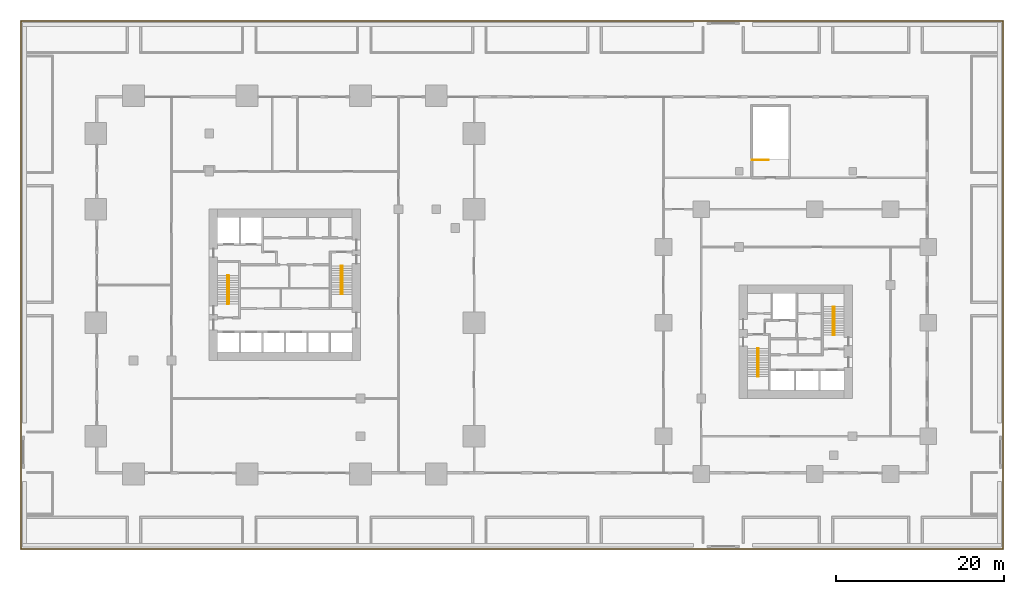
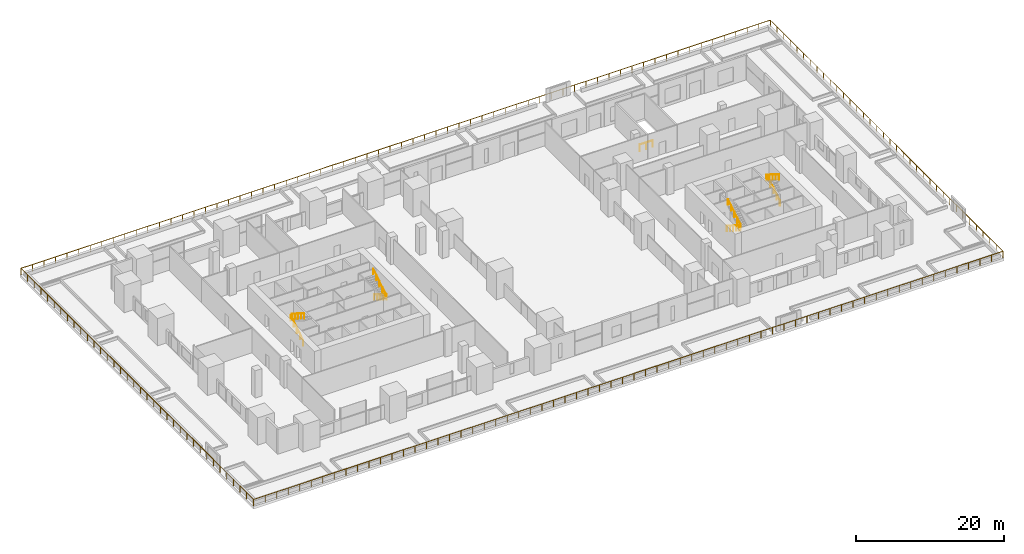
# One storey, part 26 of 26: 10 railings.
"""IFC4 building model written with IfcOpenShell, lengths in metres."""

from ifc_helpers import new_model, si_unit, direction, frame, origin, origin_2d, place, context, subcontext, project, spatial, circle, extrude, source, transform, mapped, material, type_object, element, save


model = new_model("IFC4")

# Units and contexts
model_context = context("Model", 3, precision=1e-05, world=origin(), true_north=direction((0.0, 1.0)))
body_context = subcontext(model_context, "Body", "Model", "MODEL_VIEW")
ifc_project = project(units=[si_unit("LENGTHUNIT", "METRE"), si_unit("AREAUNIT", "SQUARE_METRE"), si_unit("VOLUMEUNIT", "CUBIC_METRE"), si_unit("PLANEANGLEUNIT", "RADIAN"), si_unit("MASSUNIT", "GRAM", prefix="KILO")], contexts=[model_context])

# Site, building, storey
site_placement = place(None, origin())
site = spatial("IfcSite", under=ifc_project, at=site_placement, CompositionType="ELEMENT")
building_placement = place(site_placement, origin())
building = spatial("IfcBuilding", under=site, at=building_placement, Name="Altepetl Exchange Towers", CompositionType="ELEMENT")
storey_placement = place(building_placement, frame((0.0, 0.0, 16.5)))
storey = spatial("IfcBuildingStorey", under=building, at=storey_placement, Name="L03 Podium terrace", CompositionType="ELEMENT", Elevation=16.5)

# Railings
ifc_material_1 = material(Name="Steel S355", Category="steel")
railing_type_1 = type_object("IfcRailingType", Name="Guard 1100 steel posts and rail", PredefinedType="GUARDRAIL", material=ifc_material_1)
shared_shape_1 = source(origin(), body_context, "Body", "SweptSolid", [
    extrude(circle(Radius=0.02099609375, at=origin_2d()), origin(), (0.0, 0.0, 1.0), 1.052001953125),
])
railing_1_placement = place(storey_placement, frame((18.10009765625, 18.10009765625, 0.0)))
element("IfcRailing", 1, at=railing_1_placement, inside=storey, type_object=railing_type_1, Name="Terrace guard", PredefinedType="GUARDRAIL", context=body_context, shape_type="SweptSolid", body=[
    extrude(circle(Radius=0.02392578125, at=origin_2d()), frame((0.0, 0.0, 1.076171875), z_axis=(1.0, 0.0, 0.0), x_axis=(0.0, 1.0, 0.0)), (0.0, 0.0, 1.0), 116.7998046875),
    extrude(circle(Radius=0.02392578125, at=origin_2d()), frame((116.7998046875, 0.0, 1.076171875), z_axis=(0.0, 1.0, 0.0), x_axis=(-1.0, 0.0, 0.0)), (0.0, 0.0, 1.0), 62.7998046875),
    extrude(circle(Radius=0.02392578125, at=origin_2d()), frame((116.7998046875, 62.7998046875, 1.076171875), z_axis=(-1.0, 0.0, 0.0), x_axis=(0.0, -1.0, 0.0)), (0.0, 0.0, 1.0), 116.7998046875),
    extrude(circle(Radius=0.02392578125, at=origin_2d()), frame((0.0, 62.7998046875, 1.076171875), z_axis=(0.0, -1.0, 0.0), x_axis=(1.0, 0.0, 0.0)), (0.0, 0.0, 1.0), 62.699951171875),
    mapped(shared_shape_1, transform((0.0, 0.0, 0.0))),
    mapped(shared_shape_1, transform((1.796875, 0.0, 0.0))),
    mapped(shared_shape_1, transform((3.59375, 0.0, 0.0))),
    mapped(shared_shape_1, transform((5.390869140625, 0.0, 0.0))),
    mapped(shared_shape_1, transform((7.187744140625, 0.0, 0.0))),
    mapped(shared_shape_1, transform((8.984619140625, 0.0, 0.0))),
    mapped(shared_shape_1, transform((10.781494140625, 0.0, 0.0))),
    mapped(shared_shape_1, transform((12.578369140625, 0.0, 0.0))),
    mapped(shared_shape_1, transform((14.375244140625, 0.0, 0.0))),
    mapped(shared_shape_1, transform((16.17236328125, 0.0, 0.0))),
    mapped(shared_shape_1, transform((17.96923828125, 0.0, 0.0))),
    mapped(shared_shape_1, transform((19.76611328125, 0.0, 0.0))),
    mapped(shared_shape_1, transform((21.56298828125, 0.0, 0.0))),
    mapped(shared_shape_1, transform((23.35986328125, 0.0, 0.0))),
    mapped(shared_shape_1, transform((25.156982421875, 0.0, 0.0))),
    mapped(shared_shape_1, transform((26.953857421875, 0.0, 0.0))),
    mapped(shared_shape_1, transform((28.750732421875, 0.0, 0.0))),
    mapped(shared_shape_1, transform((30.547607421875, 0.0, 0.0))),
    mapped(shared_shape_1, transform((32.344482421875, 0.0, 0.0))),
    mapped(shared_shape_1, transform((34.1416015625, 0.0, 0.0))),
    mapped(shared_shape_1, transform((35.9384765625, 0.0, 0.0))),
    mapped(shared_shape_1, transform((37.7353515625, 0.0, 0.0))),
    mapped(shared_shape_1, transform((39.5322265625, 0.0, 0.0))),
    mapped(shared_shape_1, transform((41.3291015625, 0.0, 0.0))),
    mapped(shared_shape_1, transform((43.1259765625, 0.0, 0.0))),
    mapped(shared_shape_1, transform((44.923095703125, 0.0, 0.0))),
    mapped(shared_shape_1, transform((46.719970703125, 0.0, 0.0))),
    mapped(shared_shape_1, transform((48.516845703125, 0.0, 0.0))),
    mapped(shared_shape_1, transform((50.313720703125, 0.0, 0.0))),
    mapped(shared_shape_1, transform((52.110595703125, 0.0, 0.0))),
    mapped(shared_shape_1, transform((53.90771484375, 0.0, 0.0))),
    mapped(shared_shape_1, transform((55.70458984375, 0.0, 0.0))),
    mapped(shared_shape_1, transform((57.50146484375, 0.0, 0.0))),
    mapped(shared_shape_1, transform((59.29833984375, 0.0, 0.0))),
    mapped(shared_shape_1, transform((61.09521484375, 0.0, 0.0))),
    mapped(shared_shape_1, transform((62.89208984375, 0.0, 0.0))),
    mapped(shared_shape_1, transform((64.689208984375, 0.0, 0.0))),
    mapped(shared_shape_1, transform((66.486083984375, 0.0, 0.0))),
    mapped(shared_shape_1, transform((68.282958984375, 0.0, 0.0))),
    mapped(shared_shape_1, transform((70.079833984375, 0.0, 0.0))),
    mapped(shared_shape_1, transform((71.876708984375, 0.0, 0.0))),
    mapped(shared_shape_1, transform((73.673828125, 0.0, 0.0))),
    mapped(shared_shape_1, transform((75.470703125, 0.0, 0.0))),
    mapped(shared_shape_1, transform((77.267578125, 0.0, 0.0))),
    mapped(shared_shape_1, transform((79.064453125, 0.0, 0.0))),
    mapped(shared_shape_1, transform((80.861328125, 0.0, 0.0))),
    mapped(shared_shape_1, transform((82.658203125, 0.0, 0.0))),
    mapped(shared_shape_1, transform((84.455322265625, 0.0, 0.0))),
    mapped(shared_shape_1, transform((86.252197265625, 0.0, 0.0))),
    mapped(shared_shape_1, transform((88.049072265625, 0.0, 0.0))),
    mapped(shared_shape_1, transform((89.845947265625, 0.0, 0.0))),
    mapped(shared_shape_1, transform((91.642822265625, 0.0, 0.0))),
    mapped(shared_shape_1, transform((93.43994140625, 0.0, 0.0))),
    mapped(shared_shape_1, transform((95.23681640625, 0.0, 0.0))),
    mapped(shared_shape_1, transform((97.03369140625, 0.0, 0.0))),
    mapped(shared_shape_1, transform((98.83056640625, 0.0, 0.0))),
    mapped(shared_shape_1, transform((100.62744140625, 0.0, 0.0))),
    mapped(shared_shape_1, transform((102.424560546875, 0.0, 0.0))),
    mapped(shared_shape_1, transform((104.221435546875, 0.0, 0.0))),
    mapped(shared_shape_1, transform((106.018310546875, 0.0, 0.0))),
    mapped(shared_shape_1, transform((107.815185546875, 0.0, 0.0))),
    mapped(shared_shape_1, transform((109.612060546875, 0.0, 0.0))),
    mapped(shared_shape_1, transform((111.408935546875, 0.0, 0.0))),
    mapped(shared_shape_1, transform((113.2060546875, 0.0, 0.0))),
    mapped(shared_shape_1, transform((115.0029296875, 0.0, 0.0))),
    mapped(shared_shape_1, transform((116.7998046875, 0.0, 0.0))),
    mapped(shared_shape_1, transform((116.7998046875, 1.794189453125, 0.0))),
    mapped(shared_shape_1, transform((116.7998046875, 3.588623046875, 0.0))),
    mapped(shared_shape_1, transform((116.7998046875, 5.3828125, 0.0))),
    mapped(shared_shape_1, transform((116.7998046875, 7.177001953125, 0.0))),
    mapped(shared_shape_1, transform((116.7998046875, 8.971435546875, 0.0))),
    mapped(shared_shape_1, transform((116.7998046875, 10.765625, 0.0))),
    mapped(shared_shape_1, transform((116.7998046875, 12.56005859375, 0.0))),
    mapped(shared_shape_1, transform((116.7998046875, 14.354248046875, 0.0))),
    mapped(shared_shape_1, transform((116.7998046875, 16.1484375, 0.0))),
    mapped(shared_shape_1, transform((116.7998046875, 17.94287109375, 0.0))),
    mapped(shared_shape_1, transform((116.7998046875, 19.737060546875, 0.0))),
    mapped(shared_shape_1, transform((116.7998046875, 21.53125, 0.0))),
    mapped(shared_shape_1, transform((116.7998046875, 23.32568359375, 0.0))),
    mapped(shared_shape_1, transform((116.7998046875, 25.119873046875, 0.0))),
    mapped(shared_shape_1, transform((116.7998046875, 26.914306640625, 0.0))),
    mapped(shared_shape_1, transform((116.7998046875, 28.70849609375, 0.0))),
    mapped(shared_shape_1, transform((116.7998046875, 30.502685546875, 0.0))),
    mapped(shared_shape_1, transform((116.7998046875, 32.297119140625, 0.0))),
    mapped(shared_shape_1, transform((116.7998046875, 34.09130859375, 0.0))),
    mapped(shared_shape_1, transform((116.7998046875, 35.885498046875, 0.0))),
    mapped(shared_shape_1, transform((116.7998046875, 37.679931640625, 0.0))),
    mapped(shared_shape_1, transform((116.7998046875, 39.47412109375, 0.0))),
    mapped(shared_shape_1, transform((116.7998046875, 41.2685546875, 0.0))),
    mapped(shared_shape_1, transform((116.7998046875, 43.062744140625, 0.0))),
    mapped(shared_shape_1, transform((116.7998046875, 44.85693359375, 0.0))),
    mapped(shared_shape_1, transform((116.7998046875, 46.6513671875, 0.0))),
    mapped(shared_shape_1, transform((116.7998046875, 48.445556640625, 0.0))),
    mapped(shared_shape_1, transform((116.7998046875, 50.23974609375, 0.0))),
    mapped(shared_shape_1, transform((116.7998046875, 52.0341796875, 0.0))),
    mapped(shared_shape_1, transform((116.7998046875, 53.828369140625, 0.0))),
    mapped(shared_shape_1, transform((116.7998046875, 55.622802734375, 0.0))),
    mapped(shared_shape_1, transform((116.7998046875, 57.4169921875, 0.0))),
    mapped(shared_shape_1, transform((116.7998046875, 59.211181640625, 0.0))),
    mapped(shared_shape_1, transform((116.7998046875, 61.005615234375, 0.0))),
    mapped(shared_shape_1, transform((116.7998046875, 62.7998046875, 0.0))),
    mapped(shared_shape_1, transform((115.0029296875, 62.7998046875, 0.0))),
    mapped(shared_shape_1, transform((113.2060546875, 62.7998046875, 0.0))),
    mapped(shared_shape_1, transform((111.408935546875, 62.7998046875, 0.0))),
    mapped(shared_shape_1, transform((109.612060546875, 62.7998046875, 0.0))),
    mapped(shared_shape_1, transform((107.815185546875, 62.7998046875, 0.0))),
    mapped(shared_shape_1, transform((106.018310546875, 62.7998046875, 0.0))),
    mapped(shared_shape_1, transform((104.221435546875, 62.7998046875, 0.0))),
    mapped(shared_shape_1, transform((102.424560546875, 62.7998046875, 0.0))),
    mapped(shared_shape_1, transform((100.62744140625, 62.7998046875, 0.0))),
    mapped(shared_shape_1, transform((98.83056640625, 62.7998046875, 0.0))),
    mapped(shared_shape_1, transform((97.03369140625, 62.7998046875, 0.0))),
    mapped(shared_shape_1, transform((95.23681640625, 62.7998046875, 0.0))),
    mapped(shared_shape_1, transform((93.43994140625, 62.7998046875, 0.0))),
    mapped(shared_shape_1, transform((91.642822265625, 62.7998046875, 0.0))),
    mapped(shared_shape_1, transform((89.845947265625, 62.7998046875, 0.0))),
    mapped(shared_shape_1, transform((88.049072265625, 62.7998046875, 0.0))),
    mapped(shared_shape_1, transform((86.252197265625, 62.7998046875, 0.0))),
    mapped(shared_shape_1, transform((84.455322265625, 62.7998046875, 0.0))),
    mapped(shared_shape_1, transform((82.658203125, 62.7998046875, 0.0))),
    mapped(shared_shape_1, transform((80.861328125, 62.7998046875, 0.0))),
    mapped(shared_shape_1, transform((79.064453125, 62.7998046875, 0.0))),
    mapped(shared_shape_1, transform((77.267578125, 62.7998046875, 0.0))),
    mapped(shared_shape_1, transform((75.470703125, 62.7998046875, 0.0))),
    mapped(shared_shape_1, transform((73.673828125, 62.7998046875, 0.0))),
    mapped(shared_shape_1, transform((71.876708984375, 62.7998046875, 0.0))),
    mapped(shared_shape_1, transform((70.079833984375, 62.7998046875, 0.0))),
    mapped(shared_shape_1, transform((68.282958984375, 62.7998046875, 0.0))),
    mapped(shared_shape_1, transform((66.486083984375, 62.7998046875, 0.0))),
    mapped(shared_shape_1, transform((64.689208984375, 62.7998046875, 0.0))),
    mapped(shared_shape_1, transform((62.89208984375, 62.7998046875, 0.0))),
    mapped(shared_shape_1, transform((61.09521484375, 62.7998046875, 0.0))),
    mapped(shared_shape_1, transform((59.29833984375, 62.7998046875, 0.0))),
    mapped(shared_shape_1, transform((57.50146484375, 62.7998046875, 0.0))),
    mapped(shared_shape_1, transform((55.70458984375, 62.7998046875, 0.0))),
    mapped(shared_shape_1, transform((53.90771484375, 62.7998046875, 0.0))),
    mapped(shared_shape_1, transform((52.110595703125, 62.7998046875, 0.0))),
    mapped(shared_shape_1, transform((50.313720703125, 62.7998046875, 0.0))),
    mapped(shared_shape_1, transform((48.516845703125, 62.7998046875, 0.0))),
    mapped(shared_shape_1, transform((46.719970703125, 62.7998046875, 0.0))),
    mapped(shared_shape_1, transform((44.923095703125, 62.7998046875, 0.0))),
    mapped(shared_shape_1, transform((43.1259765625, 62.7998046875, 0.0))),
    mapped(shared_shape_1, transform((41.3291015625, 62.7998046875, 0.0))),
    mapped(shared_shape_1, transform((39.5322265625, 62.7998046875, 0.0))),
    mapped(shared_shape_1, transform((37.7353515625, 62.7998046875, 0.0))),
    mapped(shared_shape_1, transform((35.9384765625, 62.7998046875, 0.0))),
    mapped(shared_shape_1, transform((34.1416015625, 62.7998046875, 0.0))),
    mapped(shared_shape_1, transform((32.344482421875, 62.7998046875, 0.0))),
    mapped(shared_shape_1, transform((30.547607421875, 62.7998046875, 0.0))),
    mapped(shared_shape_1, transform((28.750732421875, 62.7998046875, 0.0))),
    mapped(shared_shape_1, transform((26.953857421875, 62.7998046875, 0.0))),
    mapped(shared_shape_1, transform((25.156982421875, 62.7998046875, 0.0))),
    mapped(shared_shape_1, transform((23.35986328125, 62.7998046875, 0.0))),
    mapped(shared_shape_1, transform((21.56298828125, 62.7998046875, 0.0))),
    mapped(shared_shape_1, transform((19.76611328125, 62.7998046875, 0.0))),
    mapped(shared_shape_1, transform((17.96923828125, 62.7998046875, 0.0))),
    mapped(shared_shape_1, transform((16.17236328125, 62.7998046875, 0.0))),
    mapped(shared_shape_1, transform((14.375244140625, 62.7998046875, 0.0))),
    mapped(shared_shape_1, transform((12.578369140625, 62.7998046875, 0.0))),
    mapped(shared_shape_1, transform((10.781494140625, 62.7998046875, 0.0))),
    mapped(shared_shape_1, transform((8.984619140625, 62.7998046875, 0.0))),
    mapped(shared_shape_1, transform((7.187744140625, 62.7998046875, 0.0))),
    mapped(shared_shape_1, transform((5.390869140625, 62.7998046875, 0.0))),
    mapped(shared_shape_1, transform((3.59375, 62.7998046875, 0.0))),
    mapped(shared_shape_1, transform((1.796875, 62.7998046875, 0.0))),
    mapped(shared_shape_1, transform((0.0, 62.7998046875, 0.0))),
    mapped(shared_shape_1, transform((0.0, 61.00830078125, 0.0))),
    mapped(shared_shape_1, transform((0.0, 59.217041015625, 0.0))),
    mapped(shared_shape_1, transform((0.0, 57.425537109375, 0.0))),
    mapped(shared_shape_1, transform((0.0, 55.634033203125, 0.0))),
    mapped(shared_shape_1, transform((0.0, 53.8427734375, 0.0))),
    mapped(shared_shape_1, transform((0.0, 52.05126953125, 0.0))),
    mapped(shared_shape_1, transform((0.0, 50.259765625, 0.0))),
    mapped(shared_shape_1, transform((0.0, 48.468505859375, 0.0))),
    mapped(shared_shape_1, transform((0.0, 46.677001953125, 0.0))),
    mapped(shared_shape_1, transform((0.0, 44.885498046875, 0.0))),
    mapped(shared_shape_1, transform((0.0, 43.093994140625, 0.0))),
    mapped(shared_shape_1, transform((0.0, 41.302734375, 0.0))),
    mapped(shared_shape_1, transform((0.0, 39.51123046875, 0.0))),
    mapped(shared_shape_1, transform((0.0, 37.7197265625, 0.0))),
    mapped(shared_shape_1, transform((0.0, 35.928466796875, 0.0))),
    mapped(shared_shape_1, transform((0.0, 34.136962890625, 0.0))),
    mapped(shared_shape_1, transform((0.0, 32.345458984375, 0.0))),
    mapped(shared_shape_1, transform((0.0, 30.55419921875, 0.0))),
    mapped(shared_shape_1, transform((0.0, 28.7626953125, 0.0))),
    mapped(shared_shape_1, transform((0.0, 26.97119140625, 0.0))),
    mapped(shared_shape_1, transform((0.0, 25.179931640625, 0.0))),
    mapped(shared_shape_1, transform((0.0, 23.388427734375, 0.0))),
    mapped(shared_shape_1, transform((0.0, 21.596923828125, 0.0))),
    mapped(shared_shape_1, transform((0.0, 19.8056640625, 0.0))),
    mapped(shared_shape_1, transform((0.0, 18.01416015625, 0.0))),
    mapped(shared_shape_1, transform((0.0, 16.22265625, 0.0))),
    mapped(shared_shape_1, transform((0.0, 14.43115234375, 0.0))),
    mapped(shared_shape_1, transform((0.0, 12.639892578125, 0.0))),
    mapped(shared_shape_1, transform((0.0, 10.848388671875, 0.0))),
    mapped(shared_shape_1, transform((0.0, 9.056884765625, 0.0))),
    mapped(shared_shape_1, transform((0.0, 7.265625, 0.0))),
    mapped(shared_shape_1, transform((0.0, 5.47412109375, 0.0))),
    mapped(shared_shape_1, transform((0.0, 3.6826171875, 0.0))),
    mapped(shared_shape_1, transform((0.0, 1.891357421875, 0.0))),
    mapped(shared_shape_1, transform((0.0, 0.099853515625, 0.0))),
])
ifc_material_2 = material(Name="Steel", Category="steel")
railing_type_2 = type_object("IfcRailingType", Name="Stair handrail 50 steel tube", PredefinedType="HANDRAIL", material=ifc_material_2)
shared_shape_2 = source(origin(), body_context, "Body", "SweptSolid", [
    extrude(circle(Radius=0.02099609375, at=origin_2d()), origin(), (0.0, 0.0, 1.0), 0.851806640625),
])
railing_2_placement = place(storey_placement, frame((42.669921875, 47.25, 0.173095703125)))
element("IfcRailing", 2, at=railing_2_placement, inside=storey, type_object=railing_type_2, Name="Stair handrail", PredefinedType="HANDRAIL", context=body_context, shape_type="SweptSolid", body=[
    extrude(circle(Radius=0.02392578125, at=origin_2d()), frame((0.0, 0.0, 0.8759765625), z_axis=(0.0, 0.850623216509, 0.525775754039), x_axis=(-1.0, 0.0, 0.0)), (0.0, 0.0, 1.0), 3.9501953125),
    mapped(shared_shape_2, transform((0.0, 0.0, 0.0))),
    mapped(shared_shape_2, transform((0.0, 0.840087890625, 0.519287109375))),
    mapped(shared_shape_2, transform((0.0, 1.68017578125, 1.03857421875))),
    mapped(shared_shape_2, transform((0.0, 2.52001953125, 1.5576171875))),
    mapped(shared_shape_2, transform((0.0, 3.360107421875, 2.076904296875))),
])
for number, where, name in (
    (3, (42.830078125, 50.610107421875, 2.423095703125), "Stair handrail"),
    (4, (56.330078125, 51.75, 0.173095703125), "Stair handrail"),
):
    element("IfcRailing", number, at=place(storey_placement, frame(where)), inside=storey, type_object=railing_type_2, Name=name, PredefinedType="HANDRAIL", context=body_context, shape_type="SweptSolid", body=[
        extrude(circle(Radius=0.02392578125, at=origin_2d()), frame((0.0, 0.0, 0.8759765625), z_axis=(0.0, -0.850623216509, 0.525775754039), x_axis=(1.0, 0.0, 0.0)), (0.0, 0.0, 1.0), 3.9501953125),
        mapped(shared_shape_2, transform((0.0, 0.0, 0.0))),
        mapped(shared_shape_2, transform((0.0, -0.840087890625, 0.519287109375))),
        mapped(shared_shape_2, transform((0.0, -1.68017578125, 1.03857421875))),
        mapped(shared_shape_2, transform((0.0, -2.52001953125, 1.5576171875))),
        mapped(shared_shape_2, transform((0.0, -3.360107421875, 2.076904296875))),
    ])
railing_3_placement = place(storey_placement, frame((56.169921875, 48.389892578125, 2.423095703125)))
element("IfcRailing", 5, at=railing_3_placement, inside=storey, type_object=railing_type_2, Name="Stair handrail", PredefinedType="HANDRAIL", context=body_context, shape_type="SweptSolid", body=[
    extrude(circle(Radius=0.02392578125, at=origin_2d()), frame((0.0, 0.0, 0.8759765625), z_axis=(0.0, 0.850623216509, 0.525775754039), x_axis=(-1.0, 0.0, 0.0)), (0.0, 0.0, 1.0), 3.9501953125),
    mapped(shared_shape_2, transform((0.0, 0.0, 0.0))),
    mapped(shared_shape_2, transform((0.0, 0.840087890625, 0.519287109375))),
    mapped(shared_shape_2, transform((0.0, 1.68017578125, 1.03857421875))),
    mapped(shared_shape_2, transform((0.0, 2.52001953125, 1.5576171875))),
    mapped(shared_shape_2, transform((0.0, 3.360107421875, 2.076904296875))),
])
railing_4_placement = place(storey_placement, frame((105.669921875, 41.949951171875, 0.173095703125)))
element("IfcRailing", 6, at=railing_4_placement, inside=storey, type_object=railing_type_2, Name="Stair handrail", PredefinedType="HANDRAIL", context=body_context, shape_type="SweptSolid", body=[
    extrude(circle(Radius=0.02392578125, at=origin_2d()), frame((0.0, 0.0, 0.8759765625), z_axis=(0.0, -0.850606129759, 0.525803396734), x_axis=(1.0, 0.0, 0.0)), (0.0, 0.0, 1.0), 3.949951171875),
    mapped(shared_shape_2, transform((0.0, 0.0, 0.0))),
    mapped(shared_shape_2, transform((0.0, -0.83984375, 0.519287109375))),
    mapped(shared_shape_2, transform((0.0, -1.679931640625, 1.03857421875))),
    mapped(shared_shape_2, transform((0.0, -2.52001953125, 1.5576171875))),
    mapped(shared_shape_2, transform((0.0, -3.35986328125, 2.076904296875))),
])
for number, where, name in (
    (7, (105.830078125, 38.590087890625, 2.423095703125), "Stair handrail"),
    (8, (114.830078125, 43.550048828125, 0.173095703125), "Stair handrail"),
):
    element("IfcRailing", number, at=place(storey_placement, frame(where)), inside=storey, type_object=railing_type_2, Name=name, PredefinedType="HANDRAIL", context=body_context, shape_type="SweptSolid", body=[
        extrude(circle(Radius=0.02392578125, at=origin_2d()), frame((0.0, 0.0, 0.8759765625), z_axis=(0.0, 0.850606129759, 0.525803396734), x_axis=(-1.0, 0.0, 0.0)), (0.0, 0.0, 1.0), 3.949951171875),
        mapped(shared_shape_2, transform((0.0, 0.0, 0.0))),
        mapped(shared_shape_2, transform((0.0, 0.83984375, 0.519287109375))),
        mapped(shared_shape_2, transform((0.0, 1.679931640625, 1.03857421875))),
        mapped(shared_shape_2, transform((0.0, 2.52001953125, 1.5576171875))),
        mapped(shared_shape_2, transform((0.0, 3.35986328125, 2.076904296875))),
    ])
railing_5_placement = place(storey_placement, frame((114.669921875, 46.909912109375, 2.423095703125)))
element("IfcRailing", 9, at=railing_5_placement, inside=storey, type_object=railing_type_2, Name="Stair handrail", PredefinedType="HANDRAIL", context=body_context, shape_type="SweptSolid", body=[
    extrude(circle(Radius=0.02392578125, at=origin_2d()), frame((0.0, 0.0, 0.8759765625), z_axis=(0.0, -0.850606129759, 0.525803396734), x_axis=(1.0, 0.0, 0.0)), (0.0, 0.0, 1.0), 3.949951171875),
    mapped(shared_shape_2, transform((0.0, 0.0, 0.0))),
    mapped(shared_shape_2, transform((0.0, -0.83984375, 0.519287109375))),
    mapped(shared_shape_2, transform((0.0, -1.679931640625, 1.03857421875))),
    mapped(shared_shape_2, transform((0.0, -2.52001953125, 1.5576171875))),
    mapped(shared_shape_2, transform((0.0, -3.35986328125, 2.076904296875))),
])
ifc_material_3 = material(Name="Laminated glass and steel", Category="steel")
railing_type_3 = type_object("IfcRailingType", Name="Hall gallery guard 1100", PredefinedType="GUARDRAIL", material=ifc_material_3)
shared_shape_3 = source(origin(), body_context, "Body", "SweptSolid", [
    extrude(circle(Radius=0.02001953125, at=origin_2d()), origin(), (0.0, 0.0, 1.0), 1.050048828125),
])
railing_6_placement = place(storey_placement, frame((105.0, 64.35009765625, 0.0)))
element("IfcRailing", 10, at=railing_6_placement, inside=storey, type_object=railing_type_3, Name="rail:P:L03:PY1top", PredefinedType="GUARDRAIL", context=body_context, shape_type="SweptSolid", body=[
    extrude(circle(Radius=0.02490234375, at=origin_2d()), frame((0.0, 0.0, 1.0751953125), z_axis=(1.0, 0.0, 0.0), x_axis=(0.0, 1.0, 0.0)), (0.0, 0.0, 1.0), 2.02490234375),
    mapped(shared_shape_3, transform((0.0, 0.0, 0.0))),
    mapped(shared_shape_3, transform((1.012451171875, 0.0, 0.0))),
    mapped(shared_shape_3, transform((2.02490234375, 0.0, 0.0))),
])

save(model, "model.ifc")
